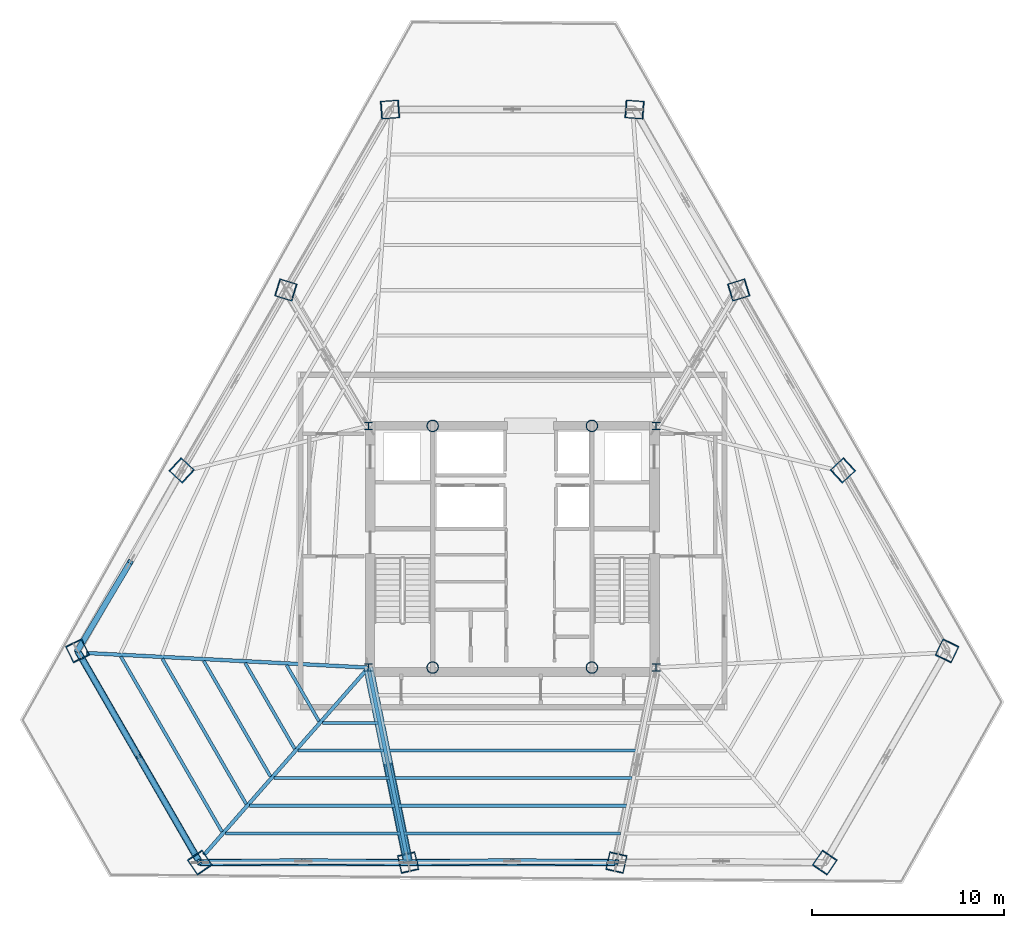
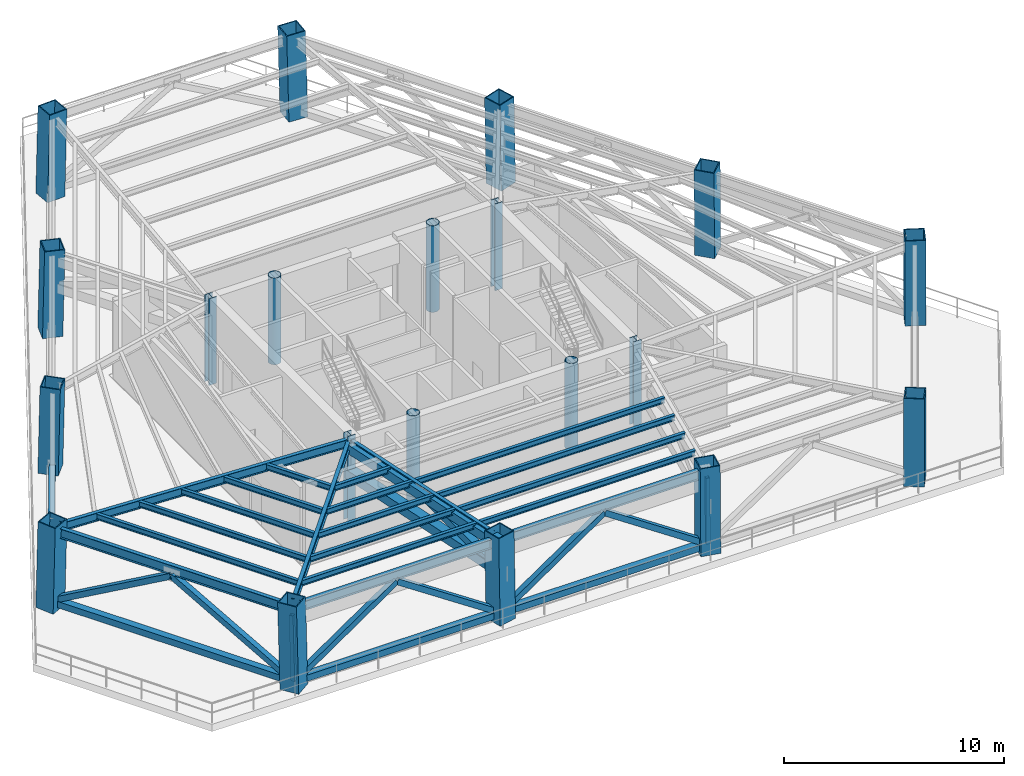
# One storey, part 1 of 12: 20 beams, 20 columns, 15 members.
"""IFC4 building model written with IfcOpenShell, lengths in metres."""

from ifc_helpers import new_model, si_unit, direction, frame, origin, origin_2d, place, context, subcontext, project, spatial, hollow_rectangle, hollow_circle, i_section, extrude, source, transform, mapped, material, material_profile, profile_set, type_object, type_shapes, element, save


model = new_model("IFC4")

# Units and contexts
model_context = context("Model", 3, precision=1e-05, world=origin(), true_north=direction((0.0, 1.0)))
body_context = subcontext(model_context, "Body", "Model", "MODEL_VIEW")
ifc_project = project(units=[si_unit("LENGTHUNIT", "METRE"), si_unit("AREAUNIT", "SQUARE_METRE"), si_unit("VOLUMEUNIT", "CUBIC_METRE"), si_unit("PLANEANGLEUNIT", "RADIAN"), si_unit("MASSUNIT", "GRAM", prefix="KILO")], contexts=[model_context])

# Site, building, storey
site_placement = place(None, origin())
site = spatial("IfcSite", under=ifc_project, at=site_placement, CompositionType="ELEMENT")
building_placement = place(site_placement, origin())
building = spatial("IfcBuilding", under=site, at=building_placement, Name="Caelisora Broadcast Tower", CompositionType="ELEMENT")
storey_placement = place(building_placement, frame((0.0, 0.0, 150.050048828125)))
storey = spatial("IfcBuildingStorey", under=building, at=storey_placement, Name="L39", CompositionType="ELEMENT", Elevation=150.050048828125)

# Columns
ifc_material_1 = material(Name="Steel Grade 350 (AS/NZS 3679.2)", Category="steel")
ifc_material_profile_1 = material_profile(ifc_material_1, i_section(OverallWidth=0.39990234375, OverallDepth=0.39990234375, WebThickness=0.02001953125, FlangeThickness=0.031982421875, at=origin_2d()), Name="Steel Grade 350 (AS/NZS 3679.2)")
ifc_profile_set_1 = profile_set([ifc_material_profile_1], Name="Steel Grade 350 (AS/NZS 3679.2)")
column_type_1 = type_object("IfcColumnType", Name="CC02", PredefinedType="COLUMN", material=ifc_profile_set_1)
shared_shape_1 = source(origin(), body_context, "Body", "SweptSolid", [
    extrude(i_section(OverallWidth=0.39990234375, OverallDepth=0.39990234375, WebThickness=0.02001953125, FlangeThickness=0.031982421875, at=origin_2d()), origin(), (0.0, 0.0, 1.0), 4.800048828125),
])
type_shapes(column_type_1, [shared_shape_1])
for number, where, z_axis, x_axis, name in (
    (1, (30.5, 17.39990234375, 0.0), (0.0, 0.0, 1.0), (1.0, 0.0, 0.0), "L39 column CC02"),
    (2, (45.5, 17.39990234375, 0.0), (0.0, 0.0, 1.0), (1.0, 0.0, 0.0), "L39 column CC02"),
    (3, (45.5, 30.0, 0.0), (0.0, 0.0, 1.0), (1.0, 0.0, 0.0), "L39 column CC02"),
    (4, (30.5, 30.0, 0.0), (0.0, 0.0, 1.0), (1.0, 0.0, 0.0), "L39 column CC02"),
):
    element("IfcColumn", number, at=place(storey_placement, frame(where, z_axis=z_axis, x_axis=x_axis)), inside=storey, type_object=column_type_1, Name=name, PredefinedType="COLUMN", context=body_context, shape_type="MappedRepresentation", body=[
        mapped(shared_shape_1, transform((0.0, 0.0, 0.0), scale=1.0)),
    ])
ifc_material_2 = material(Name="Steel Grade 350 L15 (AS/NZS 3678)", Category="steel")
ifc_material_profile_2 = material_profile(ifc_material_2, hollow_circle(Radius=0.304931640625, WallThickness=0.02490234375, at=origin_2d()), Name="Steel Grade 350 L15 (AS/NZS 3678)")
ifc_profile_set_2 = profile_set([ifc_material_profile_2], Name="Steel Grade 350 L15 (AS/NZS 3678)")
column_type_2 = type_object("IfcColumnType", Name="CC06", PredefinedType="COLUMN", material=ifc_profile_set_2)
shared_shape_2 = source(origin(), body_context, "Body", "SweptSolid", [
    extrude(hollow_circle(Radius=0.304931640625, WallThickness=0.02490234375, at=origin_2d()), origin(), (0.0, 0.0, 1.0), 4.800048828125),
])
type_shapes(column_type_2, [shared_shape_2])
for number, where, z_axis, x_axis, name in (
    (5, (33.85009765625, 17.39990234375, 0.0), (0.0, 0.0, 1.0), (1.0, 0.0, 0.0), "L39 column CC06"),
    (6, (42.14990234375, 17.39990234375, 0.0), (0.0, 0.0, 1.0), (1.0, 0.0, 0.0), "L39 column CC06"),
    (7, (33.85009765625, 30.0, 0.0), (0.0, 0.0, 1.0), (1.0, 0.0, 0.0), "L39 column CC06"),
    (8, (42.14990234375, 30.0, 0.0), (0.0, 0.0, 1.0), (1.0, 0.0, 0.0), "L39 column CC06"),
):
    element("IfcColumn", number, at=place(storey_placement, frame(where, z_axis=z_axis, x_axis=x_axis)), inside=storey, type_object=column_type_2, Name=name, PredefinedType="COLUMN", context=body_context, shape_type="MappedRepresentation", body=[
        mapped(shared_shape_2, transform((0.0, 0.0, 0.0), scale=1.0)),
    ])
ifc_material_profile_3 = material_profile(ifc_material_2, hollow_rectangle(XDim=0.949951171875, YDim=0.949951171875, WallThickness=0.050048828125, at=origin_2d()), Name="Steel Grade 350 L15 (AS/NZS 3678)")
ifc_profile_set_3 = profile_set([ifc_material_profile_3], Name="Steel Grade 350 L15 (AS/NZS 3678)")
column_type_3 = type_object("IfcColumnType", Name="MC04", PredefinedType="COLUMN", material=ifc_profile_set_3)
shared_shape_3 = source(origin(), body_context, "Body", "SweptSolid", [
    extrude(hollow_rectangle(XDim=0.949951171875, YDim=0.949951171875, WallThickness=0.050048828125, at=origin_2d()), origin(), (0.0, 0.0, 1.0), 4.801513671875),
])
for number, where, z_axis, x_axis, name in (
    (9, (44.386474609375, 46.487548828125, 0.0), (-0.023898327692, 0.0017796627, 0.999712810128), (-0.074262458715, -0.99723873131, 0.0), "L39 column MC04"),
    (10, (31.613525390625, 46.487548828125, 0.0), (0.023898327692, 0.0017796627, 0.999712810128), (-0.074262458715, 0.99723873131, 0.0), "L39 column MC04"),
    (11, (15.33203125, 18.287109375, 0.0), (0.01042374304, -0.021559351459, 0.999713228854), (0.900293483537, 0.435283405956, 0.0), "L39 column MC04"),
    (12, (21.718505859375, 7.225341796875, 0.0), (-0.013474585534, 0.019830522107, 0.999712551656), (-0.827123683747, -0.562019938956, 0.0), "L39 column MC04"),
    (13, (54.281494140625, 7.225341796875, 0.0), (0.013474585534, 0.019830522107, 0.999712551656), (-0.827123683747, 0.562019938956, 0.0), "L39 column MC04"),
    (14, (60.66796875, 18.287109375, 0.0), (-0.01042374304, -0.021559351459, 0.999713228854), (0.900293483537, -0.435283405956, 0.0), "L39 column MC04"),
):
    element("IfcColumn", number, at=place(storey_placement, frame(where, z_axis=z_axis, x_axis=x_axis)), inside=storey, type_object=column_type_3, Name=name, PredefinedType="COLUMN", context=body_context, shape_type="MappedRepresentation", body=[
        mapped(shared_shape_3, transform((0.0, 0.0, 0.0), scale=1.0)),
    ])
shared_shape_4 = source(origin(), body_context, "Body", "SweptSolid", [
    extrude(hollow_rectangle(XDim=0.949951171875, YDim=0.949951171875, WallThickness=0.050048828125, at=origin_2d()), origin(), (0.0, 0.0, 1.0), 4.801025390625),
])
type_shapes(column_type_3, [shared_shape_3, shared_shape_4])
for number, where, z_axis, x_axis, name in (
    (15, (26.186279296875, 37.08740234375, 0.0), (0.019425311137, -0.00600048878, 0.999793304349), (0.295140224918, 0.955453948464, 0.0), "L39 column MC04"),
    (16, (20.75927734375, 27.687255859375, 0.0), (0.014899529501, -0.013780793498, 0.999794025663), (0.679008224545, 0.734130663438, 0.0), "L39 column MC04"),
    (17, (32.57275390625, 7.225341796875, 0.0), (-0.004474940809, 0.019832124038, 0.99979330952), (-0.975475660355, -0.22010732849, 0.0), "L39 column MC04"),
    (18, (43.42724609375, 7.225341796875, 0.0), (0.004474940809, 0.019832124038, 0.99979330952), (-0.975475660355, 0.22010732849, 0.0), "L39 column MC04"),
    (19, (55.24072265625, 27.687255859375, 0.0), (-0.014899529501, -0.013780793498, 0.999794025663), (0.679008224545, -0.734130663438, 0.0), "L39 column MC04"),
    (20, (49.813720703125, 37.08740234375, 0.0), (-0.019425311137, -0.00600048878, 0.999793304349), (0.295140224918, -0.955453948464, 0.0), "L39 column MC04"),
):
    element("IfcColumn", number, at=place(storey_placement, frame(where, z_axis=z_axis, x_axis=x_axis)), inside=storey, type_object=column_type_3, Name=name, PredefinedType="COLUMN", context=body_context, shape_type="MappedRepresentation", body=[
        mapped(shared_shape_4, transform((0.0, 0.0, 0.0), scale=1.0)),
    ])

# Members
ifc_material_3 = material(Name="Steel Grade 350 (AS/NZS 1163 C350L0)", Category="steel")
ifc_material_profile_4 = material_profile(ifc_material_3, hollow_rectangle(XDim=0.199951171875, YDim=0.199951171875, WallThickness=0.009033203125, at=origin_2d()), Name="Steel Grade 350 (AS/NZS 1163 C350L0)")
ifc_profile_set_4 = profile_set([ifc_material_profile_4], Name="Steel Grade 350 (AS/NZS 1163 C350L0)")
member_type_1 = type_object("IfcMemberType", Name="TR14", PredefinedType="POST", material=ifc_profile_set_4)
shared_shape_5 = source(origin(), body_context, "Body", "SweptSolid", [
    extrude(hollow_rectangle(XDim=0.199951171875, YDim=0.199951171875, WallThickness=0.009033203125, at=origin_2d()), origin(), (0.0, 0.0, 1.0), 3.62109375),
])
member_1_placement = place(storey_placement, frame((21.7138671875, 7.232421875, 0.349853515625), z_axis=(-0.013484137209, 0.019754261011, 0.999713932691), x_axis=(-0.825929039072, -0.563774088104, 0.0)))
element("IfcMember", 21, at=member_1_placement, inside=storey, type_object=member_type_1, Name="L39 transfer post TR14", PredefinedType="POST", context=body_context, shape_type="MappedRepresentation", body=[
    mapped(shared_shape_5, transform((0.0, 0.0, 0.0), scale=1.0)),
])
shared_shape_6 = source(origin(), body_context, "Body", "SweptSolid", [
    extrude(hollow_rectangle(XDim=0.199951171875, YDim=0.199951171875, WallThickness=0.009033203125, at=origin_2d()), origin(), (0.0, 0.0, 1.0), 3.620849609375),
])
type_shapes(member_type_1, [shared_shape_5, shared_shape_6])
member_2_placement = place(storey_placement, frame((43.4287109375, 7.232421875, 0.349853515625), z_axis=(0.004517550585, 0.019755855541, 0.999794627865), x_axis=(-0.974837853252, 0.222915140505, 0.0)))
element("IfcMember", 22, at=member_2_placement, inside=storey, type_object=member_type_1, Name="L39 transfer post TR14", PredefinedType="POST", context=body_context, shape_type="MappedRepresentation", body=[
    mapped(shared_shape_6, transform((0.0, 0.0, 0.0), scale=1.0)),
])

# Beams
ifc_material_4 = material(Name="Steel Grade 350 (AS/NZS 3679.1)", Category="steel")
ifc_material_profile_5 = material_profile(ifc_material_4, i_section(OverallWidth=0.208984375, OverallDepth=0.532958984375, WebThickness=0.01025390625, FlangeThickness=0.015625, at=origin_2d()), Name="Steel Grade 350 (AS/NZS 3679.1)")
ifc_profile_set_5 = profile_set([ifc_material_profile_5], Name="Steel Grade 350 (AS/NZS 3679.1)")
beam_type_1 = type_object("IfcBeamType", Name="PG05", PredefinedType="BEAM", material=ifc_profile_set_5)
shared_shape_7 = source(origin(), body_context, "Body", "SweptSolid", [
    extrude(i_section(OverallWidth=0.208984375, OverallDepth=0.532958984375, WebThickness=0.01025390625, FlangeThickness=0.015625, at=origin_2d()), origin(), (0.0, 0.0, 1.0), 11.62353515625),
])
beam_1_placement = place(storey_placement, frame((15.612060546875, 17.78515625, 4.283447265625), z_axis=(0.500004269896, -0.866022938545, 0.0), x_axis=(0.866022938545, 0.500004269896, 0.0)))
element("IfcBeam", 23, at=beam_1_placement, inside=storey, type_object=beam_type_1, Name="L39 beam PG05", PredefinedType="BEAM", context=body_context, shape_type="MappedRepresentation", body=[
    mapped(shared_shape_7, transform((0.0, 0.0, 0.0), scale=1.0)),
])
shared_shape_8 = source(origin(), body_context, "Body", "SweptSolid", [
    extrude(i_section(OverallWidth=0.208984375, OverallDepth=0.532958984375, WebThickness=0.01025390625, FlangeThickness=0.015625, at=origin_2d()), origin(), (0.0, 0.0, 1.0), 9.9775390625),
])
type_shapes(beam_type_1, [shared_shape_7, shared_shape_8])
for number, where, z_axis, x_axis, name in (
    (24, (22.11376953125, 7.320556640625, 4.283447265625), (1.0, 0.0, 0.0), (0.0, 1.0, 0.0), "L39 beam PG05"),
    (25, (33.01123046875, 7.320556640625, 4.283447265625), (1.0, 0.0, 0.0), (0.0, 1.0, 0.0), "L39 beam PG05"),
):
    element("IfcBeam", number, at=place(storey_placement, frame(where, z_axis=z_axis, x_axis=x_axis)), inside=storey, type_object=beam_type_1, Name=name, PredefinedType="BEAM", context=body_context, shape_type="MappedRepresentation", body=[
        mapped(shared_shape_8, transform((0.0, 0.0, 0.0), scale=1.0)),
    ])
ifc_material_profile_6 = material_profile(ifc_material_4, i_section(OverallWidth=0.19091796875, OverallDepth=0.46044921875, WebThickness=0.010009765625, FlangeThickness=0.01611328125, at=origin_2d()), Name="Steel Grade 350 (AS/NZS 3679.1)")
ifc_profile_set_6 = profile_set([ifc_material_profile_6], Name="Steel Grade 350 (AS/NZS 3679.1)")
beam_type_2 = type_object("IfcBeamType", Name="PG06", PredefinedType="BEAM", material=ifc_profile_set_6)
shared_shape_9 = source(origin(), body_context, "Body", "SweptSolid", [
    extrude(i_section(OverallWidth=0.19091796875, OverallDepth=0.46044921875, WebThickness=0.010009765625, FlangeThickness=0.01611328125, at=origin_2d()), origin(), (0.0, 0.0, 1.0), 14.658203125),
])
beam_2_placement = place(storey_placement, frame((30.440185546875, 17.403076171875, 4.31982421875), z_axis=(-0.998659290464, 0.051765061287, 0.0), x_axis=(-0.051765061287, -0.998659290464, 0.0)))
element("IfcBeam", 26, at=beam_2_placement, inside=storey, type_object=beam_type_2, Name="L39 beam PG06", PredefinedType="BEAM", context=body_context, shape_type="MappedRepresentation", body=[
    mapped(shared_shape_9, transform((0.0, 0.0, 0.0), scale=1.0)),
])
shared_shape_10 = source(origin(), body_context, "Body", "SweptSolid", [
    extrude(i_section(OverallWidth=0.19091796875, OverallDepth=0.46044921875, WebThickness=0.010009765625, FlangeThickness=0.01611328125, at=origin_2d()), origin(), (0.0, 0.0, 1.0), 12.930908203125),
])
beam_3_placement = place(storey_placement, frame((30.46044921875, 17.35498046875, 4.31982421875), z_axis=(-0.659626677642, -0.751593404802, 0.0), x_axis=(0.751593404802, -0.659626677642, 0.0)))
element("IfcBeam", 27, at=beam_3_placement, inside=storey, type_object=beam_type_2, Name="L39 beam PG06", PredefinedType="BEAM", context=body_context, shape_type="MappedRepresentation", body=[
    mapped(shared_shape_10, transform((0.0, 0.0, 0.0), scale=1.0)),
])
shared_shape_11 = source(origin(), body_context, "Body", "SweptSolid", [
    extrude(i_section(OverallWidth=0.19091796875, OverallDepth=0.46044921875, WebThickness=0.010009765625, FlangeThickness=0.01611328125, at=origin_2d()), origin(), (0.0, 0.0, 1.0), 9.80615234375),
])
type_shapes(beam_type_2, [shared_shape_9, shared_shape_10, shared_shape_11])
beam_4_placement = place(storey_placement, frame((30.511962890625, 17.34130859375, 4.31982421875), z_axis=(0.199423421485, -0.979913414013, 0.0), x_axis=(0.979913414013, 0.199423421485, 0.0)))
element("IfcBeam", 28, at=beam_4_placement, inside=storey, type_object=beam_type_2, Name="L39 beam PG06", PredefinedType="BEAM", context=body_context, shape_type="MappedRepresentation", body=[
    mapped(shared_shape_11, transform((0.0, 0.0, 0.0), scale=1.0)),
])
ifc_material_profile_7 = material_profile(ifc_material_4, i_section(OverallWidth=0.166015625, OverallDepth=0.30712890625, WebThickness=0.006591796875, FlangeThickness=0.01171875, at=origin_2d()), Name="Steel Grade 350 (AS/NZS 3679.1)")
ifc_profile_set_7 = profile_set([ifc_material_profile_7], Name="Steel Grade 350 (AS/NZS 3679.1)")
beam_type_3 = type_object("IfcBeamType", Name="SB03", PredefinedType="JOIST", material=ifc_profile_set_7)
shared_shape_12 = source(origin(), body_context, "Body", "SweptSolid", [
    extrude(i_section(OverallWidth=0.166015625, OverallDepth=0.30712890625, WebThickness=0.006591796875, FlangeThickness=0.01171875, at=origin_2d()), origin(), (0.0, 0.0, 1.0), 3.375244140625),
])
beam_5_placement = place(storey_placement, frame((26.236083984375, 17.52783203125, 4.396240234375), z_axis=(0.499966648284, -0.866044658551, 0.0), x_axis=(0.866044658551, 0.499966648284, 0.0)))
element("IfcBeam", 29, at=beam_5_placement, inside=storey, type_object=beam_type_3, Name="L39 beam SB03", PredefinedType="JOIST", context=body_context, shape_type="MappedRepresentation", body=[
    mapped(shared_shape_12, transform((0.0, 0.0, 0.0), scale=1.0)),
])
shared_shape_13 = source(origin(), body_context, "Body", "SweptSolid", [
    extrude(i_section(OverallWidth=0.166015625, OverallDepth=0.30712890625, WebThickness=0.006591796875, FlangeThickness=0.01171875, at=origin_2d()), origin(), (0.0, 0.0, 1.0), 5.167236328125),
])
beam_6_placement = place(storey_placement, frame((24.076416015625, 17.639892578125, 4.396240234375), z_axis=(0.4999705729, -0.866042392862, 0.0), x_axis=(0.866042392862, 0.4999705729, 0.0)))
element("IfcBeam", 30, at=beam_6_placement, inside=storey, type_object=beam_type_3, Name="L39 beam SB03", PredefinedType="JOIST", context=body_context, shape_type="MappedRepresentation", body=[
    mapped(shared_shape_13, transform((0.0, 0.0, 0.0), scale=1.0)),
])
shared_shape_14 = source(origin(), body_context, "Body", "SweptSolid", [
    extrude(i_section(OverallWidth=0.166015625, OverallDepth=0.30712890625, WebThickness=0.006591796875, FlangeThickness=0.01171875, at=origin_2d()), origin(), (0.0, 0.0, 1.0), 6.958984375),
])
beam_7_placement = place(storey_placement, frame((21.91650390625, 17.751708984375, 4.396240234375), z_axis=(0.50000285764, -0.866023753919, 0.0), x_axis=(0.866023753919, 0.50000285764, 0.0)))
element("IfcBeam", 31, at=beam_7_placement, inside=storey, type_object=beam_type_3, Name="L39 beam SB03", PredefinedType="JOIST", context=body_context, shape_type="MappedRepresentation", body=[
    mapped(shared_shape_14, transform((0.0, 0.0, 0.0), scale=1.0)),
])
shared_shape_15 = source(origin(), body_context, "Body", "SweptSolid", [
    extrude(i_section(OverallWidth=0.166015625, OverallDepth=0.30712890625, WebThickness=0.006591796875, FlangeThickness=0.01171875, at=origin_2d()), origin(), (0.0, 0.0, 1.0), 8.7509765625),
])
beam_8_placement = place(storey_placement, frame((19.7568359375, 17.86376953125, 4.396240234375), z_axis=(0.499997759964, -0.866026697066, 0.0), x_axis=(0.866026697066, 0.499997759964, 0.0)))
element("IfcBeam", 32, at=beam_8_placement, inside=storey, type_object=beam_type_3, Name="L39 beam SB03", PredefinedType="JOIST", context=body_context, shape_type="MappedRepresentation", body=[
    mapped(shared_shape_15, transform((0.0, 0.0, 0.0), scale=1.0)),
])
shared_shape_16 = source(origin(), body_context, "Body", "SweptSolid", [
    extrude(i_section(OverallWidth=0.166015625, OverallDepth=0.30712890625, WebThickness=0.006591796875, FlangeThickness=0.01171875, at=origin_2d()), origin(), (0.0, 0.0, 1.0), 10.54296875),
])
beam_9_placement = place(storey_placement, frame((17.59716796875, 17.9755859375, 4.396240234375), z_axis=(0.50000442238, -0.866022850507, 0.0), x_axis=(0.866022850507, 0.50000442238, 0.0)))
element("IfcBeam", 33, at=beam_9_placement, inside=storey, type_object=beam_type_3, Name="L39 beam SB03", PredefinedType="JOIST", context=body_context, shape_type="MappedRepresentation", body=[
    mapped(shared_shape_16, transform((0.0, 0.0, 0.0), scale=1.0)),
])
shared_shape_17 = source(origin(), body_context, "Body", "SweptSolid", [
    extrude(i_section(OverallWidth=0.166015625, OverallDepth=0.30712890625, WebThickness=0.006591796875, FlangeThickness=0.01171875, at=origin_2d()), origin(), (0.0, 0.0, 1.0), 2.89501953125),
])
beam_10_placement = place(storey_placement, frame((28.0966796875, 14.52001953125, 4.396240234375), z_axis=(1.0, 0.0, 0.0), x_axis=(0.0, 1.0, 0.0)))
element("IfcBeam", 34, at=beam_10_placement, inside=storey, type_object=beam_type_3, Name="L39 beam SB03", PredefinedType="JOIST", context=body_context, shape_type="MappedRepresentation", body=[
    mapped(shared_shape_17, transform((0.0, 0.0, 0.0), scale=1.0)),
])
shared_shape_18 = source(origin(), body_context, "Body", "SweptSolid", [
    extrude(i_section(OverallWidth=0.166015625, OverallDepth=0.30712890625, WebThickness=0.006591796875, FlangeThickness=0.01171875, at=origin_2d()), origin(), (0.0, 0.0, 1.0), 4.45166015625),
])
beam_11_placement = place(storey_placement, frame((26.8330078125, 13.080078125, 4.396240234375), z_axis=(1.0, 0.0, 0.0), x_axis=(0.0, 1.0, 0.0)))
element("IfcBeam", 35, at=beam_11_placement, inside=storey, type_object=beam_type_3, Name="L39 beam SB03", PredefinedType="JOIST", context=body_context, shape_type="MappedRepresentation", body=[
    mapped(shared_shape_18, transform((0.0, 0.0, 0.0), scale=1.0)),
])
shared_shape_19 = source(origin(), body_context, "Body", "SweptSolid", [
    extrude(i_section(OverallWidth=0.166015625, OverallDepth=0.30712890625, WebThickness=0.006591796875, FlangeThickness=0.01171875, at=origin_2d()), origin(), (0.0, 0.0, 1.0), 6.008544921875),
])
beam_12_placement = place(storey_placement, frame((25.569091796875, 11.640380859375, 4.396240234375), z_axis=(1.0, 0.0, 0.0), x_axis=(0.0, 1.0, 0.0)))
element("IfcBeam", 36, at=beam_12_placement, inside=storey, type_object=beam_type_3, Name="L39 beam SB03", PredefinedType="JOIST", context=body_context, shape_type="MappedRepresentation", body=[
    mapped(shared_shape_19, transform((0.0, 0.0, 0.0), scale=1.0)),
])
shared_shape_20 = source(origin(), body_context, "Body", "SweptSolid", [
    extrude(i_section(OverallWidth=0.166015625, OverallDepth=0.30712890625, WebThickness=0.006591796875, FlangeThickness=0.01171875, at=origin_2d()), origin(), (0.0, 0.0, 1.0), 7.565185546875),
])
beam_13_placement = place(storey_placement, frame((24.305419921875, 10.200439453125, 4.396240234375), z_axis=(1.0, 0.0, 0.0), x_axis=(0.0, 1.0, 0.0)))
element("IfcBeam", 37, at=beam_13_placement, inside=storey, type_object=beam_type_3, Name="L39 beam SB03", PredefinedType="JOIST", context=body_context, shape_type="MappedRepresentation", body=[
    mapped(shared_shape_20, transform((0.0, 0.0, 0.0), scale=1.0)),
])
shared_shape_21 = source(origin(), body_context, "Body", "SweptSolid", [
    extrude(i_section(OverallWidth=0.166015625, OverallDepth=0.30712890625, WebThickness=0.006591796875, FlangeThickness=0.01171875, at=origin_2d()), origin(), (0.0, 0.0, 1.0), 9.122314453125),
])
beam_14_placement = place(storey_placement, frame((23.04150390625, 8.760498046875, 4.396240234375), z_axis=(1.0, 0.0, 0.0), x_axis=(0.0, 1.0, 0.0)))
element("IfcBeam", 38, at=beam_14_placement, inside=storey, type_object=beam_type_3, Name="L39 beam SB03", PredefinedType="JOIST", context=body_context, shape_type="MappedRepresentation", body=[
    mapped(shared_shape_21, transform((0.0, 0.0, 0.0), scale=1.0)),
])
shared_shape_22 = source(origin(), body_context, "Body", "SweptSolid", [
    extrude(i_section(OverallWidth=0.166015625, OverallDepth=0.30712890625, WebThickness=0.006591796875, FlangeThickness=0.01171875, at=origin_2d()), origin(), (0.0, 0.0, 1.0), 13.052734375),
])
beam_15_placement = place(storey_placement, frame((31.4736328125, 13.080078125, 4.396240234375), z_axis=(1.0, 0.0, 0.0), x_axis=(0.0, 1.0, 0.0)))
element("IfcBeam", 39, at=beam_15_placement, inside=storey, type_object=beam_type_3, Name="L39 beam SB03", PredefinedType="JOIST", context=body_context, shape_type="MappedRepresentation", body=[
    mapped(shared_shape_22, transform((0.0, 0.0, 0.0), scale=1.0)),
])
shared_shape_23 = source(origin(), body_context, "Body", "SweptSolid", [
    extrude(i_section(OverallWidth=0.166015625, OverallDepth=0.30712890625, WebThickness=0.006591796875, FlangeThickness=0.01171875, at=origin_2d()), origin(), (0.0, 0.0, 1.0), 12.466796875),
])
beam_16_placement = place(storey_placement, frame((31.7666015625, 11.640380859375, 4.396240234375), z_axis=(1.0, 0.0, 0.0), x_axis=(0.0, 1.0, 0.0)))
element("IfcBeam", 40, at=beam_16_placement, inside=storey, type_object=beam_type_3, Name="L39 beam SB03", PredefinedType="JOIST", context=body_context, shape_type="MappedRepresentation", body=[
    mapped(shared_shape_23, transform((0.0, 0.0, 0.0), scale=1.0)),
])
shared_shape_24 = source(origin(), body_context, "Body", "SweptSolid", [
    extrude(i_section(OverallWidth=0.166015625, OverallDepth=0.30712890625, WebThickness=0.006591796875, FlangeThickness=0.01171875, at=origin_2d()), origin(), (0.0, 0.0, 1.0), 11.88037109375),
])
beam_17_placement = place(storey_placement, frame((32.059814453125, 10.200439453125, 4.396240234375), z_axis=(1.0, 0.0, 0.0), x_axis=(0.0, 1.0, 0.0)))
element("IfcBeam", 41, at=beam_17_placement, inside=storey, type_object=beam_type_3, Name="L39 beam SB03", PredefinedType="JOIST", context=body_context, shape_type="MappedRepresentation", body=[
    mapped(shared_shape_24, transform((0.0, 0.0, 0.0), scale=1.0)),
])
shared_shape_25 = source(origin(), body_context, "Body", "SweptSolid", [
    extrude(i_section(OverallWidth=0.166015625, OverallDepth=0.30712890625, WebThickness=0.006591796875, FlangeThickness=0.01171875, at=origin_2d()), origin(), (0.0, 0.0, 1.0), 11.29443359375),
])
type_shapes(beam_type_3, [shared_shape_12, shared_shape_13, shared_shape_14, shared_shape_15, shared_shape_16, shared_shape_17, shared_shape_18, shared_shape_19, shared_shape_20, shared_shape_21, shared_shape_22, shared_shape_23, shared_shape_24, shared_shape_25])
beam_18_placement = place(storey_placement, frame((32.352783203125, 8.760498046875, 4.396240234375), z_axis=(1.0, 0.0, 0.0), x_axis=(0.0, 1.0, 0.0)))
element("IfcBeam", 42, at=beam_18_placement, inside=storey, type_object=beam_type_3, Name="L39 beam SB03", PredefinedType="JOIST", context=body_context, shape_type="MappedRepresentation", body=[
    mapped(shared_shape_25, transform((0.0, 0.0, 0.0), scale=1.0)),
])

# Members
ifc_material_profile_8 = material_profile(ifc_material_2, hollow_rectangle(XDim=0.5, YDim=0.5, WallThickness=0.02001953125, at=origin_2d()), Name="Steel Grade 350 L15 (AS/NZS 3678)")
ifc_profile_set_8 = profile_set([ifc_material_profile_8], Name="Steel Grade 350 L15 (AS/NZS 3678)")
member_type_2 = type_object("IfcMemberType", Name="OR03", PredefinedType="CHORD", material=ifc_profile_set_8)
shared_shape_26 = source(origin(), body_context, "Body", "SweptSolid", [
    extrude(hollow_rectangle(XDim=0.5, YDim=0.5, WallThickness=0.02001953125, at=origin_2d()), origin(), (0.0, 0.0, 1.0), 10.3291015625),
])
member_3_placement = place(storey_placement, frame((30.5, 17.39990234375, 2.679931640625), z_axis=(0.199514963358, -0.979894779758, 0.0), x_axis=(0.979894779758, 0.199514963358, 0.0)))
element("IfcMember", 43, at=member_3_placement, inside=storey, type_object=member_type_2, Name="L39 outrigger chord OR03", PredefinedType="CHORD", context=body_context, shape_type="MappedRepresentation", body=[
    mapped(shared_shape_26, transform((0.0, 0.0, 0.0), scale=1.0)),
])
shared_shape_27 = source(origin(), body_context, "Body", "SweptSolid", [
    extrude(hollow_rectangle(XDim=0.5, YDim=0.5, WallThickness=0.02001953125, at=origin_2d()), origin(), (0.0, 0.0, 1.0), 10.2998046875),
])
type_shapes(member_type_2, [shared_shape_26, shared_shape_27])
member_4_placement = place(storey_placement, frame((30.5, 17.39990234375, 4.1298828125), z_axis=(0.199442635762, -0.979909503495, 0.0), x_axis=(0.979909503495, 0.199442635762, 0.0)))
element("IfcMember", 44, at=member_4_placement, inside=storey, type_object=member_type_2, Name="L39 outrigger chord OR03", PredefinedType="CHORD", context=body_context, shape_type="MappedRepresentation", body=[
    mapped(shared_shape_27, transform((0.0, 0.0, 0.0), scale=1.0)),
])
ifc_material_profile_9 = material_profile(ifc_material_3, hollow_rectangle(XDim=0.39990234375, YDim=0.39990234375, WallThickness=0.01611328125, at=origin_2d()), Name="Steel Grade 350 (AS/NZS 1163 C350L0)")
ifc_profile_set_9 = profile_set([ifc_material_profile_9], Name="Steel Grade 350 (AS/NZS 1163 C350L0)")
member_type_3 = type_object("IfcMemberType", Name="OR04", PredefinedType="STRUT", material=ifc_profile_set_9)
shared_shape_28 = source(origin(), body_context, "Body", "SweptSolid", [
    extrude(hollow_rectangle(XDim=0.39990234375, YDim=0.39990234375, WallThickness=0.01611328125, at=origin_2d()), origin(), (0.0, 0.0, 1.0), 5.378173828125),
])
type_shapes(member_type_3, [shared_shape_28])
member_5_placement = place(storey_placement, frame((31.527099609375, 12.353515625, 4.1298828125), z_axis=(0.192197029803, -0.943599352509, -0.269593330185), x_axis=(0.979880134038, 0.199586880623, 0.0)))
element("IfcMember", 45, at=member_5_placement, inside=storey, type_object=member_type_3, Name="L39 outrigger diagonal OR04", PredefinedType="STRUT", context=body_context, shape_type="MappedRepresentation", body=[
    mapped(shared_shape_28, transform((0.0, 0.0, 0.0), scale=1.0)),
])
ifc_material_profile_10 = material_profile(ifc_material_3, hollow_rectangle(XDim=0.300048828125, YDim=0.300048828125, WallThickness=0.012451171875, at=origin_2d()), Name="Steel Grade 350 (AS/NZS 1163 C350L0)")
ifc_profile_set_10 = profile_set([ifc_material_profile_10], Name="Steel Grade 350 (AS/NZS 1163 C350L0)")
member_type_4 = type_object("IfcMemberType", Name="OR06", PredefinedType="STRUT", material=ifc_profile_set_10)
shared_shape_29 = source(origin(), body_context, "Body", "SweptSolid", [
    extrude(hollow_rectangle(XDim=0.300048828125, YDim=0.300048828125, WallThickness=0.012451171875, at=origin_2d()), origin(), (0.0, 0.0, 1.0), 7.333984375),
])
member_6_placement = place(storey_placement, frame((15.335693359375, 18.279541015625, 0.349853515625), z_axis=(0.434090618021, -0.753599954813, 0.49361163221), x_axis=(0.866523129729, 0.499136920738, 0.0)))
element("IfcMember", 46, at=member_6_placement, inside=storey, type_object=member_type_4, Name="L39 belt diagonal OR06", PredefinedType="STRUT", context=body_context, shape_type="MappedRepresentation", body=[
    mapped(shared_shape_29, transform((0.0, 0.0, 0.0), scale=1.0)),
])
ifc_material_profile_11 = material_profile(ifc_material_3, hollow_rectangle(XDim=0.35009765625, YDim=0.35009765625, WallThickness=0.01611328125, at=origin_2d()), Name="Steel Grade 350 (AS/NZS 1163 C350L0)")
ifc_profile_set_11 = profile_set([ifc_material_profile_11], Name="Steel Grade 350 (AS/NZS 1163 C350L0)")
member_type_5 = type_object("IfcMemberType", Name="OR05", PredefinedType="CHORD", material=ifc_profile_set_11)
shared_shape_30 = source(origin(), body_context, "Body", "SweptSolid", [
    extrude(hollow_rectangle(XDim=0.35009765625, YDim=0.35009765625, WallThickness=0.01611328125, at=origin_2d()), origin(), (0.0, 0.0, 1.0), 10.857421875),
])
for number, where, z_axis, x_axis, name in (
    (47, (21.7138671875, 7.232421875, 0.349853515625), (1.0, 0.0, 0.0), (0.0, 1.0, 0.0), "L39 belt chord OR05"),
    (48, (32.5712890625, 7.232421875, 0.349853515625), (1.0, 0.0, 0.0), (0.0, 1.0, 0.0), "L39 belt chord OR05"),
):
    element("IfcMember", number, at=place(storey_placement, frame(where, z_axis=z_axis, x_axis=x_axis)), inside=storey, type_object=member_type_5, Name=name, PredefinedType="CHORD", context=body_context, shape_type="MappedRepresentation", body=[
        mapped(shared_shape_30, transform((0.0, 0.0, 0.0), scale=1.0)),
    ])
shared_shape_31 = source(origin(), body_context, "Body", "SweptSolid", [
    extrude(hollow_rectangle(XDim=0.300048828125, YDim=0.300048828125, WallThickness=0.012451171875, at=origin_2d()), origin(), (0.0, 0.0, 1.0), 6.525390625),
])
for number, where, z_axis, x_axis, name in (
    (49, (32.5712890625, 7.232421875, 0.349853515625), (0.831931221101, 0.010962216576, 0.554770468901), (-0.013175686575, 0.999913196874, 0.0), "L39 belt diagonal OR06"),
    (50, (43.4287109375, 7.232421875, 0.349853515625), (-0.831931221101, 0.010962216576, 0.554770468901), (-0.013175686575, -0.999913196874, 0.0), "L39 belt diagonal OR06"),
):
    element("IfcMember", number, at=place(storey_placement, frame(where, z_axis=z_axis, x_axis=x_axis)), inside=storey, type_object=member_type_4, Name=name, PredefinedType="STRUT", context=body_context, shape_type="MappedRepresentation", body=[
        mapped(shared_shape_31, transform((0.0, 0.0, 0.0), scale=1.0)),
    ])
shared_shape_32 = source(origin(), body_context, "Body", "SweptSolid", [
    extrude(hollow_rectangle(XDim=0.300048828125, YDim=0.300048828125, WallThickness=0.012451171875, at=origin_2d()), origin(), (0.0, 0.0, 1.0), 6.552490234375),
])
member_7_placement = place(storey_placement, frame((32.5712890625, 7.232421875, 0.349853515625), z_axis=(-0.833453824102, 0.010916982005, 0.552481259948), x_axis=(-0.013097360999, -0.999914225889, 0.0)))
element("IfcMember", 51, at=member_7_placement, inside=storey, type_object=member_type_4, Name="L39 belt diagonal OR06", PredefinedType="STRUT", context=body_context, shape_type="MappedRepresentation", body=[
    mapped(shared_shape_32, transform((0.0, 0.0, 0.0), scale=1.0)),
])
shared_shape_33 = source(origin(), body_context, "Body", "SweptSolid", [
    extrude(hollow_rectangle(XDim=0.300048828125, YDim=0.300048828125, WallThickness=0.012451171875, at=origin_2d()), origin(), (0.0, 0.0, 1.0), 6.49853515625),
])
for number, where, z_axis, x_axis, name in (
    (52, (15.335693359375, 18.279541015625, 0.349853515625), (0.424753969583, 0.713621232287, 0.557071631079), (-0.859303772491, 0.511465567348, 0.0), "L39 belt diagonal OR06"),
    (53, (21.7138671875, 7.232421875, 0.349853515625), (0.830389590766, 0.011007743297, 0.557074462828), (-0.013254954519, 0.999912149231, 0.0), "L39 belt diagonal OR06"),
):
    element("IfcMember", number, at=place(storey_placement, frame(where, z_axis=z_axis, x_axis=x_axis)), inside=storey, type_object=member_type_4, Name=name, PredefinedType="STRUT", context=body_context, shape_type="MappedRepresentation", body=[
        mapped(shared_shape_33, transform((0.0, 0.0, 0.0), scale=1.0)),
    ])
shared_shape_34 = source(origin(), body_context, "Body", "SweptSolid", [
    extrude(hollow_rectangle(XDim=0.35009765625, YDim=0.35009765625, WallThickness=0.01611328125, at=origin_2d()), origin(), (0.0, 0.0, 1.0), 12.756103515625),
])
type_shapes(member_type_5, [shared_shape_30, shared_shape_34])
member_8_placement = place(storey_placement, frame((15.335693359375, 18.279541015625, 0.349853515625), z_axis=(0.500006856577, -0.866021445101, 0.0), x_axis=(0.866021445101, 0.500006856577, 0.0)))
element("IfcMember", 54, at=member_8_placement, inside=storey, type_object=member_type_5, Name="L39 belt chord OR05", PredefinedType="CHORD", context=body_context, shape_type="MappedRepresentation", body=[
    mapped(shared_shape_34, transform((0.0, 0.0, 0.0), scale=1.0)),
])
shared_shape_35 = source(origin(), body_context, "Body", "SweptSolid", [
    extrude(hollow_rectangle(XDim=0.300048828125, YDim=0.300048828125, WallThickness=0.012451171875, at=origin_2d()), origin(), (0.0, 0.0, 1.0), 7.333740234375),
])
type_shapes(member_type_4, [shared_shape_29, shared_shape_31, shared_shape_32, shared_shape_33, shared_shape_35])
member_9_placement = place(storey_placement, frame((21.7138671875, 7.232421875, 0.349853515625), z_axis=(-0.435599756426, 0.752720373905, 0.493624240602), x_axis=(-0.865518870125, -0.500876317526, 0.0)))
element("IfcMember", 55, at=member_9_placement, inside=storey, type_object=member_type_4, Name="L39 belt diagonal OR06", PredefinedType="STRUT", context=body_context, shape_type="MappedRepresentation", body=[
    mapped(shared_shape_35, transform((0.0, 0.0, 0.0), scale=1.0)),
])

save(model, "model.ifc")
